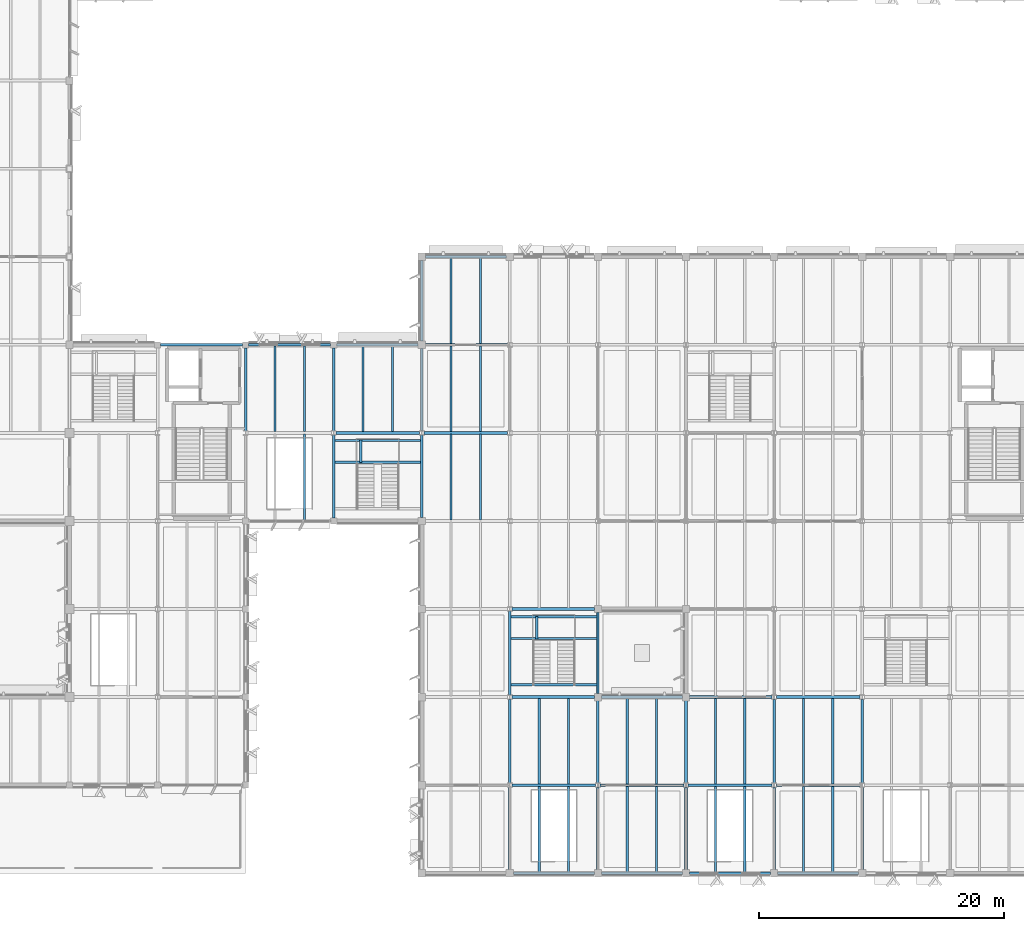
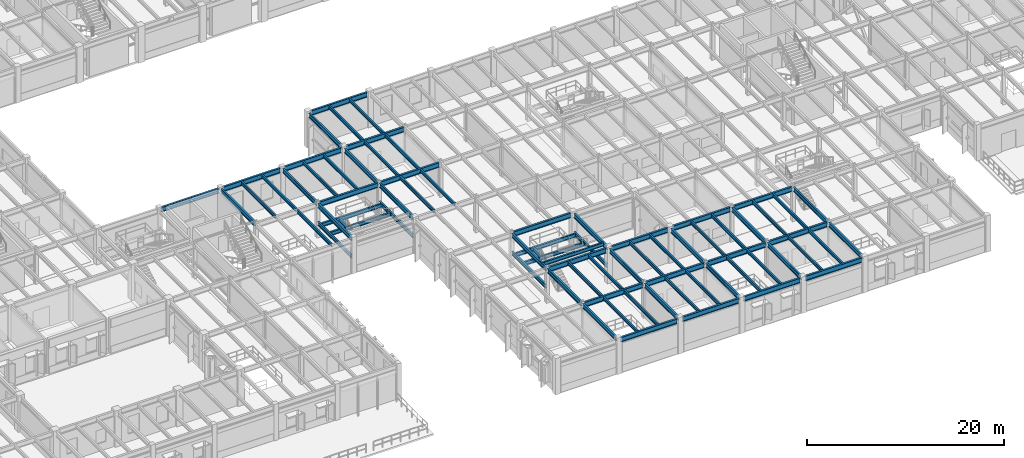
# One storey, part 17 of 92: 76 beams.
"""IFC4 building model written with IfcOpenShell, lengths in metres."""

import ifcopenshell
import ifcopenshell.guid

model = None  # the IFC model being written
_history = None  # IfcOwnerHistory: only IFC2X3 demands one
_inside = {}  # id of a spatial element -> (the spatial element, [elements in it])
_under = {}  # id of a project, library or spatial element -> (it, [spatial elements below it])
_declared = {}  # id of a project -> (the project, [libraries it declares])
_typed = {}  # id of a type object -> (the type object, [elements of that type])
_made_of = {}  # id of a material, layer set ... -> (it, [elements and type objects made of it])


def new_model(schema):
    """Start an empty IFC model of exactly this schema.

    Asked for "IFC4X3", IfcOpenShell would pick the latest addendum, in which some entities
    have other attributes; the version numbers below select the first issue.
    IFC2X3 requires an IfcOwnerHistory on every rooted entity: one is made here for all.
    """
    global model, _history
    if schema == "IFC4X3":
        model = ifcopenshell.file(schema_version=(4, 3, 0, 0))
    else:
        model = ifcopenshell.file(schema=schema)
    _inside.clear()
    _under.clear()
    _declared.clear()
    _typed.clear()
    _made_of.clear()
    _history = None
    if model.schema == "IFC2X3":
        org = make("IfcOrganization", Name="unknown")
        user = make(
            "IfcPersonAndOrganization",
            ThePerson=make("IfcPerson", FamilyName="unknown"),
            TheOrganization=org,
        )
        app = make(
            "IfcApplication",
            ApplicationDeveloper=org,
            Version="unknown",
            ApplicationFullName="unknown",
            ApplicationIdentifier="unknown",
        )
        _history = make(
            "IfcOwnerHistory",
            OwningUser=user,
            OwningApplication=app,
            ChangeAction="ADDED",
            CreationDate=0,
        )
    return model


def make(cls, **values):
    """One entity of the class cls with the attributes given. An attribute that is None is left unset."""
    return model.create_entity(
        cls, **{name: value for name, value in values.items() if value is not None}
    )


def rooted(cls, **values):
    """An entity with a GlobalId (a new one), such as an element, a storey or a relation."""
    return make(cls, GlobalId=ifcopenshell.guid.new(), OwnerHistory=_history, **values)


def si_unit(unit_type, name, prefix=None):
    """IfcSIUnit, for example si_unit("LENGTHUNIT", "METRE", prefix="MILLI")."""
    return make("IfcSIUnit", UnitType=unit_type, Prefix=prefix, Name=name)


def assignment(units):
    """IfcUnitAssignment: the units of a project."""
    return None if units is None else make("IfcUnitAssignment", Units=units)


def point(xyz):
    """IfcCartesianPoint."""
    return None if xyz is None else make("IfcCartesianPoint", Coordinates=xyz)


def direction(xyz):
    """IfcDirection."""
    return None if xyz is None else make("IfcDirection", DirectionRatios=xyz)


def frame(location, z_axis=None, x_axis=None):
    """IfcAxis2Placement3D, a coordinate frame: its origin and axes. An axis left out is left unset."""
    return make(
        "IfcAxis2Placement3D",
        Location=point(location),
        Axis=direction(z_axis),
        RefDirection=direction(x_axis),
    )


def frame_2d(location, x_axis=None):
    """IfcAxis2Placement2D, a coordinate frame in the plane: its origin and x axis."""
    return make(
        "IfcAxis2Placement2D", Location=point(location), RefDirection=direction(x_axis)
    )


def origin():
    """The frame at (0, 0, 0) with its axes left unset."""
    return frame((0.0, 0.0, 0.0))


def origin_2d():
    """The frame at (0, 0) in the plane with its x axis left unset."""
    return frame_2d((0.0, 0.0))


def place(relative_to, where):
    """IfcLocalPlacement: puts the frame where relative to a parent placement (None: the world)."""
    return make(
        "IfcLocalPlacement", PlacementRelTo=relative_to, RelativePlacement=where
    )


def context(
    kind, dimensions, precision=None, world=None, true_north=None, identifier=None
):
    """IfcGeometricRepresentationContext, for example the 3D "Model" context."""
    return make(
        "IfcGeometricRepresentationContext",
        ContextIdentifier=identifier,
        ContextType=kind,
        CoordinateSpaceDimension=dimensions,
        Precision=precision,
        WorldCoordinateSystem=world,
        TrueNorth=true_north,
    )


def subcontext(parent, identifier, kind, view, scale=None):
    """IfcGeometricRepresentationSubContext, for example "Body" below "Model"."""
    return make(
        "IfcGeometricRepresentationSubContext",
        ContextIdentifier=identifier,
        ContextType=kind,
        ParentContext=parent,
        TargetScale=scale,
        TargetView=view,
    )


def project(units=None, contexts=None):
    """IfcProject with its units and contexts."""
    return rooted(
        "IfcProject",
        Name="project",
        RepresentationContexts=contexts,
        UnitsInContext=assignment(units),
    )


def spatial(cls, under=None, at=None, **own):
    """A site, building, storey or space (cls), placed at a placement, below another one or the project."""
    s = rooted(cls, ObjectPlacement=at, **own)
    if under is not None:
        _under.setdefault(under.id(), (under, []))[1].append(s)
    return s


def profile(cls, at=None, kind="AREA", **sizes):
    """A parametric profile (cls). Its sizes go by their IFC names, for example OverallWidth=200.0."""
    return make(cls, ProfileType=kind, Position=at, **sizes)


def i_section(**sizes):
    """IfcIShapeProfileDef."""
    return profile("IfcIShapeProfileDef", **sizes)


def extrude(swept, where, along, depth):
    """IfcExtrudedAreaSolid: the profile swept, set in the frame where, extruded along a direction by depth."""
    return make(
        "IfcExtrudedAreaSolid",
        SweptArea=swept,
        Position=where,
        ExtrudedDirection=direction(along),
        Depth=depth,
    )


def shape(context_of_items, identifier, shape_type, items):
    """IfcShapeRepresentation: the items that make up one representation, for example the "Body"."""
    return make(
        "IfcShapeRepresentation",
        ContextOfItems=context_of_items,
        RepresentationIdentifier=identifier,
        RepresentationType=shape_type,
        Items=items,
    )


def material(Name=None, Category=None):
    """IfcMaterial."""
    return make("IfcMaterial", Name=Name, Category=Category)


def material_profile(
    of_material, cross_section, Name=None, Category=None, Priority=None
):
    """IfcMaterialProfile: a cross section and its material."""
    return make(
        "IfcMaterialProfile",
        Name=Name,
        Material=of_material,
        Profile=cross_section,
        Priority=Priority,
        Category=Category,
    )


def profile_set(profiles, Name=None, composite=None):
    """IfcMaterialProfileSet."""
    return make(
        "IfcMaterialProfileSet",
        Name=Name,
        MaterialProfiles=profiles,
        CompositeProfile=composite,
    )


def made_of(thing, what):
    """Note that an element or type object is made of a material, layer set ...; save() writes the relation."""
    if what is not None:
        _made_of.setdefault(what.id(), (what, []))[1].append(thing)
    return thing


def type_object(cls, material=None, **own):
    """A type object (cls), such as IfcWallType, which elements share."""
    return made_of(rooted(cls, **own), material)


def element(
    cls,
    number,
    at=None,
    inside=None,
    cuts=None,
    type_object=None,
    material=None,
    context=None,
    identifier="Body",
    shape_type=None,
    held_by="IfcProductDefinitionShape",
    body=None,
    shapes=None,
    **own,
):
    """One element of the class cls, such as IfcWall. Its Tag is "e" and its number.

    at: its placement. inside: the storey or other place that contains it. cuts: it is an
    opening in that element (IfcRelVoidsElement). A single representation is given by context,
    identifier, shape_type and body (its items); several are given by shapes. held_by: the class
    of the entity that holds the representations. save() writes the other relations.
    """
    e = rooted(cls, Tag="e%d" % number, ObjectPlacement=at, **own)
    if body is not None:
        shapes = [shape(context, identifier, shape_type, body)]
    if shapes is not None:
        e.Representation = make(held_by, Representations=shapes)
    if inside is not None:
        _inside.setdefault(inside.id(), (inside, []))[1].append(e)
    if cuts is not None:
        rooted(
            "IfcRelVoidsElement", RelatingBuildingElement=cuts, RelatedOpeningElement=e
        )
    if type_object is not None:
        _typed.setdefault(type_object.id(), (type_object, []))[1].append(e)
    return made_of(e, material)


def aggregate(whole, parts):
    """IfcRelAggregates: a whole, such as a stair, and the parts it consists of."""
    return rooted("IfcRelAggregates", RelatingObject=whole, RelatedObjects=parts)


def save(model, path):
    """Write the relations noted so far, then the file.

    IfcRelAggregates (storeys below a building ...), IfcRelContainedInSpatialStructure (elements
    in a storey), IfcRelDefinesByType, IfcRelAssociatesMaterial and IfcRelDeclares: one each for
    every whole, place, type object, material and project.
    """
    for whole, parts in _under.values():
        aggregate(whole, parts)
    for where, things in _inside.values():
        rooted(
            "IfcRelContainedInSpatialStructure",
            RelatedElements=things,
            RelatingStructure=where,
        )
    for kind, things in _typed.values():
        rooted("IfcRelDefinesByType", RelatedObjects=things, RelatingType=kind)
    for what, things in _made_of.values():
        rooted("IfcRelAssociatesMaterial", RelatedObjects=things, RelatingMaterial=what)
    for by, libraries in _declared.values():
        rooted("IfcRelDeclares", RelatingContext=by, RelatedDefinitions=libraries)
    model.write(path)


model = new_model("IFC4")

# Units and contexts
model_context = context("Model", 3, precision=1e-05, world=origin(), true_north=direction((0.0, 1.0)))
body_context = subcontext(model_context, "Body", "Model", "MODEL_VIEW")
ifc_project = project(units=[si_unit("LENGTHUNIT", "METRE"), si_unit("AREAUNIT", "SQUARE_METRE"), si_unit("VOLUMEUNIT", "CUBIC_METRE"), si_unit("PLANEANGLEUNIT", "RADIAN"), si_unit("MASSUNIT", "GRAM", prefix="KILO")], contexts=[model_context])

# Site, building, storey
site_placement = place(None, origin())
site = spatial("IfcSite", under=ifc_project, at=site_placement, CompositionType="ELEMENT")
building_placement = place(site_placement, origin())
building = spatial("IfcBuilding", under=site, at=building_placement, Name="Sillqori Civic Hall", CompositionType="ELEMENT")
storey_placement = place(building_placement, frame((0.0, 0.0, 5.39990234375)))
storey = spatial("IfcBuildingStorey", under=building, at=storey_placement, Name="L02", CompositionType="ELEMENT", Elevation=5.39990234375)

# Beams
ifc_material = material(Name="Steel ASTM A992", Category="steel")
ifc_material_profile_1 = material_profile(ifc_material, i_section(OverallWidth=0.19091796875, OverallDepth=0.4599609375, WebThickness=0.010009765625, FlangeThickness=0.01611328125, FilletRadius=0.012939453125, at=origin_2d()), Name="W18X55")
ifc_profile_set_1 = profile_set([ifc_material_profile_1], Name="Steel ASTM A992")
beam_type_1 = type_object("IfcBeamType", Name="BM-W18X55", PredefinedType="BEAM", material=ifc_profile_set_1)
beam_1_placement = place(storey_placement, frame((72.0, 21.778076171875, 1.8251953125), z_axis=(0.0, 1.0, 0.0), x_axis=(-1.0, 0.0, 0.0)))
element("IfcBeam", 1, at=beam_1_placement, inside=storey, type_object=beam_type_1, Name="Wedge Atrium West Gallery Stair L02-L03 landing stringer girder W", PredefinedType="BEAM", context=body_context, shape_type="SweptSolid", body=[
    extrude(i_section(OverallWidth=0.19091796875, OverallDepth=0.4599609375, WebThickness=0.010009765625, FlangeThickness=0.01611328125, FilletRadius=0.012939453125, at=origin_2d()), origin(), (0.0, 0.0, 1.0), 6.843994140625),
])
beam_2_placement = place(storey_placement, frame((79.199951171875, 21.89404296875, 1.8251953125), z_axis=(0.0, 1.0, 0.0), x_axis=(-1.0, 0.0, 0.0)))
element("IfcBeam", 2, at=beam_2_placement, inside=storey, type_object=beam_type_1, Name="Wedge Atrium West Gallery Stair L02-L03 landing stringer girder E", PredefinedType="BEAM", context=body_context, shape_type="SweptSolid", body=[
    extrude(i_section(OverallWidth=0.19091796875, OverallDepth=0.4599609375, WebThickness=0.010009765625, FlangeThickness=0.01611328125, FilletRadius=0.012939453125, at=origin_2d()), origin(), (0.0, 0.0, 1.0), 6.612060546875),
])
for number, where, z_axis, x_axis, name in (
    (3, (72.0400390625, 26.389892578125, 1.8251953125), (1.0, 0.0, 0.0), (0.0, 1.0, 0.0), "Wedge Atrium West Gallery Stair L02-L03 half-landing cross trimmer 1"),
    (4, (72.0400390625, 28.179931640625, 1.8251953125), (1.0, 0.0, 0.0), (0.0, 1.0, 0.0), "Wedge Atrium West Gallery Stair L02-L03 half-landing cross trimmer 2"),
):
    element("IfcBeam", number, at=place(storey_placement, frame(where, z_axis=z_axis, x_axis=x_axis)), inside=storey, type_object=beam_type_1, Name=name, PredefinedType="BEAM", context=body_context, shape_type="SweptSolid", body=[
        extrude(i_section(OverallWidth=0.19091796875, OverallDepth=0.4599609375, WebThickness=0.010009765625, FlangeThickness=0.01611328125, FilletRadius=0.012939453125, at=origin_2d()), origin(), (0.0, 0.0, 1.0), 7.119873046875),
    ])
beam_3_placement = place(storey_placement, frame((74.199951171875, 26.360107421875, 1.8251953125), z_axis=(0.0, 1.0, 0.0), x_axis=(-1.0, 0.0, 0.0)))
element("IfcBeam", 5, at=beam_3_placement, inside=storey, type_object=beam_type_1, Name="Wedge Atrium West Gallery Stair L02-L03 half-landing spine rib", PredefinedType="BEAM", context=body_context, shape_type="SweptSolid", body=[
    extrude(i_section(OverallWidth=0.19091796875, OverallDepth=0.4599609375, WebThickness=0.010009765625, FlangeThickness=0.01611328125, FilletRadius=0.012939453125, at=origin_2d()), origin(), (0.0, 0.0, 1.0), 1.849853515625),
])
beam_4_placement = place(storey_placement, frame((72.0400390625, 22.60009765625, 4.0751953125), z_axis=(1.0, 0.0, 0.0), x_axis=(0.0, 1.0, 0.0)))
element("IfcBeam", 6, at=beam_4_placement, inside=storey, type_object=beam_type_1, Name="Wedge Atrium West Gallery Stair L02-L03 upper arrival trimmer beam", PredefinedType="BEAM", context=body_context, shape_type="SweptSolid", body=[
    extrude(i_section(OverallWidth=0.19091796875, OverallDepth=0.4599609375, WebThickness=0.010009765625, FlangeThickness=0.01611328125, FilletRadius=0.012939453125, at=origin_2d()), origin(), (0.0, 0.0, 1.0), 7.119873046875),
])
beam_5_placement = place(storey_placement, frame((57.60009765625, 36.243896484375, 1.8251953125), z_axis=(0.0, 1.0, 0.0), x_axis=(-1.0, 0.0, 0.0)))
element("IfcBeam", 7, at=beam_5_placement, inside=storey, type_object=beam_type_1, Name="Council Link Gallery Stair L02-L03 landing stringer girder W", PredefinedType="BEAM", context=body_context, shape_type="SweptSolid", body=[
    extrude(i_section(OverallWidth=0.19091796875, OverallDepth=0.4599609375, WebThickness=0.010009765625, FlangeThickness=0.01611328125, FilletRadius=0.012939453125, at=origin_2d()), origin(), (0.0, 0.0, 1.0), 6.781494140625),
])
beam_6_placement = place(storey_placement, frame((64.800048828125, 36.2939453125, 1.8251953125), z_axis=(0.0, 1.0, 0.0), x_axis=(-1.0, 0.0, 0.0)))
element("IfcBeam", 8, at=beam_6_placement, inside=storey, type_object=beam_type_1, Name="Council Link Gallery Stair L02-L03 landing stringer girder E", PredefinedType="BEAM", context=body_context, shape_type="SweptSolid", body=[
    extrude(i_section(OverallWidth=0.19091796875, OverallDepth=0.4599609375, WebThickness=0.010009765625, FlangeThickness=0.01611328125, FilletRadius=0.012939453125, at=origin_2d()), origin(), (0.0, 0.0, 1.0), 6.72802734375),
])
for number, where, z_axis, x_axis, name in (
    (9, (57.639892578125, 40.7900390625, 1.8251953125), (1.0, 0.0, 0.0), (0.0, 1.0, 0.0), "Council Link Gallery Stair L02-L03 half-landing cross trimmer 1"),
    (10, (57.639892578125, 42.580078125, 1.8251953125), (1.0, 0.0, 0.0), (0.0, 1.0, 0.0), "Council Link Gallery Stair L02-L03 half-landing cross trimmer 2"),
):
    element("IfcBeam", number, at=place(storey_placement, frame(where, z_axis=z_axis, x_axis=x_axis)), inside=storey, type_object=beam_type_1, Name=name, PredefinedType="BEAM", context=body_context, shape_type="SweptSolid", body=[
        extrude(i_section(OverallWidth=0.19091796875, OverallDepth=0.4599609375, WebThickness=0.010009765625, FlangeThickness=0.01611328125, FilletRadius=0.012939453125, at=origin_2d()), origin(), (0.0, 0.0, 1.0), 7.1201171875),
    ])
beam_7_placement = place(storey_placement, frame((59.800048828125, 40.760009765625, 1.8251953125), z_axis=(0.0, 1.0, 0.0), x_axis=(-1.0, 0.0, 0.0)))
element("IfcBeam", 11, at=beam_7_placement, inside=storey, type_object=beam_type_1, Name="Council Link Gallery Stair L02-L03 half-landing spine rib", PredefinedType="BEAM", context=body_context, shape_type="SweptSolid", body=[
    extrude(i_section(OverallWidth=0.19091796875, OverallDepth=0.4599609375, WebThickness=0.010009765625, FlangeThickness=0.01611328125, FilletRadius=0.012939453125, at=origin_2d()), origin(), (0.0, 0.0, 1.0), 1.85009765625),
])
ifc_material_profile_2 = material_profile(ifc_material, i_section(OverallWidth=0.2099609375, OverallDepth=0.532958984375, WebThickness=0.01025390625, FlangeThickness=0.015625, FilletRadius=0.013916015625, at=origin_2d()), Name="W21X62")
ifc_profile_set_2 = profile_set([ifc_material_profile_2], Name="Steel ASTM A992")
beam_type_2 = type_object("IfcBeamType", Name="BM-W21X62", PredefinedType="BEAM", material=ifc_profile_set_2)
for number, where, z_axis, x_axis, name in (
    (12, (50.39990234375, 43.37451171875, 4.03369140625), (0.0, 1.0, 0.0), (-1.0, 0.0, 0.0), "L02 girder Y 7-6"),
    (13, (57.60009765625, 36.243896484375, 4.03369140625), (0.0, 1.0, 0.0), (-1.0, 0.0, 0.0), "L02 girder Y 8-5"),
    (14, (57.60009765625, 43.37451171875, 4.03369140625), (0.0, 1.0, 0.0), (-1.0, 0.0, 0.0), "L02 girder Y 8-6"),
):
    element("IfcBeam", number, at=place(storey_placement, frame(where, z_axis=z_axis, x_axis=x_axis)), inside=storey, type_object=beam_type_2, Name=name, PredefinedType="BEAM", context=body_context, shape_type="SweptSolid", body=[
        extrude(i_section(OverallWidth=0.2099609375, OverallDepth=0.532958984375, WebThickness=0.01025390625, FlangeThickness=0.015625, FilletRadius=0.013916015625, at=origin_2d()), origin(), (0.0, 0.0, 1.0), 6.781494140625),
    ])
for number, where, z_axis, x_axis, name in (
    (15, (64.800048828125, 36.2939453125, 4.03369140625), (0.0, 1.0, 0.0), (-1.0, 0.0, 0.0), "L02 girder Y 9-5"),
    (16, (64.800048828125, 43.3779296875, 4.03369140625), (0.0, 1.0, 0.0), (-1.0, 0.0, 0.0), "L02 girder Y 9-6"),
):
    element("IfcBeam", number, at=place(storey_placement, frame(where, z_axis=z_axis, x_axis=x_axis)), inside=storey, type_object=beam_type_2, Name=name, PredefinedType="BEAM", context=body_context, shape_type="SweptSolid", body=[
        extrude(i_section(OverallWidth=0.2099609375, OverallDepth=0.532958984375, WebThickness=0.01025390625, FlangeThickness=0.015625, FilletRadius=0.013916015625, at=origin_2d()), origin(), (0.0, 0.0, 1.0), 6.72802734375),
    ])
beam_8_placement = place(storey_placement, frame((64.800048828125, 50.694091796875, 4.03369140625), z_axis=(0.0, 1.0, 0.0), x_axis=(-1.0, 0.0, 0.0)))
element("IfcBeam", 17, at=beam_8_placement, inside=storey, type_object=beam_type_2, Name="L02 girder Y 9-7", PredefinedType="BEAM", context=body_context, shape_type="SweptSolid", body=[
    extrude(i_section(OverallWidth=0.2099609375, OverallDepth=0.532958984375, WebThickness=0.01025390625, FlangeThickness=0.015625, FilletRadius=0.013916015625, at=origin_2d()), origin(), (0.0, 0.0, 1.0), 6.61181640625),
])
beam_9_placement = place(storey_placement, frame((72.0, 7.493896484375, 4.03369140625), z_axis=(0.0, 1.0, 0.0), x_axis=(-1.0, 0.0, 0.0)))
element("IfcBeam", 18, at=beam_9_placement, inside=storey, type_object=beam_type_2, Name="L02 girder Y 10-1", PredefinedType="BEAM", context=body_context, shape_type="SweptSolid", body=[
    extrude(i_section(OverallWidth=0.2099609375, OverallDepth=0.532958984375, WebThickness=0.01025390625, FlangeThickness=0.015625, FilletRadius=0.013916015625, at=origin_2d()), origin(), (0.0, 0.0, 1.0), 6.72802734375),
])
beam_10_placement = place(storey_placement, frame((72.0, 14.577880859375, 4.03369140625), z_axis=(0.0, 1.0, 0.0), x_axis=(-1.0, 0.0, 0.0)))
element("IfcBeam", 19, at=beam_10_placement, inside=storey, type_object=beam_type_2, Name="L02 girder Y 10-2", PredefinedType="BEAM", context=body_context, shape_type="SweptSolid", body=[
    extrude(i_section(OverallWidth=0.2099609375, OverallDepth=0.532958984375, WebThickness=0.01025390625, FlangeThickness=0.015625, FilletRadius=0.013916015625, at=origin_2d()), origin(), (0.0, 0.0, 1.0), 6.84423828125),
])
beam_11_placement = place(storey_placement, frame((72.0, 21.778076171875, 4.03369140625), z_axis=(0.0, 1.0, 0.0), x_axis=(-1.0, 0.0, 0.0)))
element("IfcBeam", 20, at=beam_11_placement, inside=storey, type_object=beam_type_2, Name="L02 girder Y 10-3", PredefinedType="BEAM", context=body_context, shape_type="SweptSolid", body=[
    extrude(i_section(OverallWidth=0.2099609375, OverallDepth=0.532958984375, WebThickness=0.01025390625, FlangeThickness=0.015625, FilletRadius=0.013916015625, at=origin_2d()), origin(), (0.0, 0.0, 1.0), 6.843994140625),
])
for number, where, z_axis, x_axis, name in (
    (21, (79.199951171875, 7.493896484375, 4.03369140625), (0.0, 1.0, 0.0), (-1.0, 0.0, 0.0), "L02 girder Y 11-1"),
    (22, (79.199951171875, 14.577880859375, 4.03369140625), (0.0, 1.0, 0.0), (-1.0, 0.0, 0.0), "L02 girder Y 11-2"),
):
    element("IfcBeam", number, at=place(storey_placement, frame(where, z_axis=z_axis, x_axis=x_axis)), inside=storey, type_object=beam_type_2, Name=name, PredefinedType="BEAM", context=body_context, shape_type="SweptSolid", body=[
        extrude(i_section(OverallWidth=0.2099609375, OverallDepth=0.532958984375, WebThickness=0.01025390625, FlangeThickness=0.015625, FilletRadius=0.013916015625, at=origin_2d()), origin(), (0.0, 0.0, 1.0), 6.72802734375),
    ])
beam_12_placement = place(storey_placement, frame((79.199951171875, 21.89404296875, 4.03369140625), z_axis=(0.0, 1.0, 0.0), x_axis=(-1.0, 0.0, 0.0)))
element("IfcBeam", 23, at=beam_12_placement, inside=storey, type_object=beam_type_2, Name="L02 girder Y 11-3", PredefinedType="BEAM", context=body_context, shape_type="SweptSolid", body=[
    extrude(i_section(OverallWidth=0.2099609375, OverallDepth=0.532958984375, WebThickness=0.01025390625, FlangeThickness=0.015625, FilletRadius=0.013916015625, at=origin_2d()), origin(), (0.0, 0.0, 1.0), 6.612060546875),
])
for number, where, z_axis, x_axis, name in (
    (24, (86.39990234375, 7.493896484375, 4.03369140625), (0.0, 1.0, 0.0), (-1.0, 0.0, 0.0), "L02 girder Y 12-1"),
    (25, (86.39990234375, 14.577880859375, 4.03369140625), (0.0, 1.0, 0.0), (-1.0, 0.0, 0.0), "L02 girder Y 12-2"),
    (26, (93.60009765625, 7.493896484375, 4.03369140625), (0.0, 1.0, 0.0), (-1.0, 0.0, 0.0), "L02 girder Y 13-1"),
):
    element("IfcBeam", number, at=place(storey_placement, frame(where, z_axis=z_axis, x_axis=x_axis)), inside=storey, type_object=beam_type_2, Name=name, PredefinedType="BEAM", context=body_context, shape_type="SweptSolid", body=[
        extrude(i_section(OverallWidth=0.2099609375, OverallDepth=0.532958984375, WebThickness=0.01025390625, FlangeThickness=0.015625, FilletRadius=0.013916015625, at=origin_2d()), origin(), (0.0, 0.0, 1.0), 6.72802734375),
    ])
beam_13_placement = place(storey_placement, frame((93.60009765625, 14.577880859375, 4.03369140625), z_axis=(0.0, 1.0, 0.0), x_axis=(-1.0, 0.0, 0.0)))
element("IfcBeam", 27, at=beam_13_placement, inside=storey, type_object=beam_type_2, Name="L02 girder Y 13-2", PredefinedType="BEAM", context=body_context, shape_type="SweptSolid", body=[
    extrude(i_section(OverallWidth=0.2099609375, OverallDepth=0.532958984375, WebThickness=0.01025390625, FlangeThickness=0.015625, FilletRadius=0.013916015625, at=origin_2d()), origin(), (0.0, 0.0, 1.0), 6.84423828125),
])
beam_14_placement = place(storey_placement, frame((100.800048828125, 7.493896484375, 4.03369140625), z_axis=(0.0, 1.0, 0.0), x_axis=(-1.0, 0.0, 0.0)))
element("IfcBeam", 28, at=beam_14_placement, inside=storey, type_object=beam_type_2, Name="L02 girder Y 14-1", PredefinedType="BEAM", context=body_context, shape_type="SweptSolid", body=[
    extrude(i_section(OverallWidth=0.2099609375, OverallDepth=0.532958984375, WebThickness=0.01025390625, FlangeThickness=0.015625, FilletRadius=0.013916015625, at=origin_2d()), origin(), (0.0, 0.0, 1.0), 6.72802734375),
])
beam_15_placement = place(storey_placement, frame((100.800048828125, 14.577880859375, 4.03369140625), z_axis=(0.0, 1.0, 0.0), x_axis=(-1.0, 0.0, 0.0)))
element("IfcBeam", 29, at=beam_15_placement, inside=storey, type_object=beam_type_2, Name="L02 girder Y 14-2", PredefinedType="BEAM", context=body_context, shape_type="SweptSolid", body=[
    extrude(i_section(OverallWidth=0.2099609375, OverallDepth=0.532958984375, WebThickness=0.01025390625, FlangeThickness=0.015625, FilletRadius=0.013916015625, at=origin_2d()), origin(), (0.0, 0.0, 1.0), 6.84423828125),
])
ifc_material_profile_3 = material_profile(ifc_material, i_section(OverallWidth=0.22802734375, OverallDepth=0.60205078125, WebThickness=0.010498046875, FlangeThickness=0.014892578125, FilletRadius=0.014892578125, at=origin_2d()), Name="W24X68")
ifc_profile_set_3 = profile_set([ifc_material_profile_3], Name="Steel ASTM A992")
beam_type_3 = type_object("IfcBeamType", Name="BM-W24X68", PredefinedType="BEAM", material=ifc_profile_set_3)
for number, where, z_axis, x_axis, name in (
    (30, (43.444091796875, 50.39990234375, 3.9990234375), (1.0, 0.0, 0.0), (0.0, 1.0, 0.0), "L02 girder X 6-7"),
    (31, (50.64404296875, 50.39990234375, 3.9990234375), (1.0, 0.0, 0.0), (0.0, 1.0, 0.0), "L02 girder X 7-7"),
):
    element("IfcBeam", number, at=place(storey_placement, frame(where, z_axis=z_axis, x_axis=x_axis)), inside=storey, type_object=beam_type_3, Name=name, PredefinedType="BEAM", context=body_context, shape_type="SweptSolid", body=[
        extrude(i_section(OverallWidth=0.22802734375, OverallDepth=0.60205078125, WebThickness=0.010498046875, FlangeThickness=0.014892578125, FilletRadius=0.014892578125, at=origin_2d()), origin(), (0.0, 0.0, 1.0), 6.7119140625),
    ])
beam_16_placement = place(storey_placement, frame((57.779541015625, 43.199951171875, 3.9990234375), z_axis=(1.0, 0.0, 0.0), x_axis=(0.0, 1.0, 0.0)))
element("IfcBeam", 32, at=beam_16_placement, inside=storey, type_object=beam_type_3, Name="L02 girder X 8-6", PredefinedType="BEAM", context=body_context, shape_type="SweptSolid", body=[
    extrude(i_section(OverallWidth=0.22802734375, OverallDepth=0.60205078125, WebThickness=0.010498046875, FlangeThickness=0.014892578125, FilletRadius=0.014892578125, at=origin_2d()), origin(), (0.0, 0.0, 1.0), 6.83984375),
])
beam_17_placement = place(storey_placement, frame((57.843994140625, 50.39990234375, 3.9990234375), z_axis=(1.0, 0.0, 0.0), x_axis=(0.0, 1.0, 0.0)))
element("IfcBeam", 33, at=beam_17_placement, inside=storey, type_object=beam_type_3, Name="L02 girder X 8-7", PredefinedType="BEAM", context=body_context, shape_type="SweptSolid", body=[
    extrude(i_section(OverallWidth=0.22802734375, OverallDepth=0.60205078125, WebThickness=0.010498046875, FlangeThickness=0.014892578125, FilletRadius=0.014892578125, at=origin_2d()), origin(), (0.0, 0.0, 1.0), 6.662109375),
])
beam_18_placement = place(storey_placement, frame((64.98046875, 43.199951171875, 3.9990234375), z_axis=(1.0, 0.0, 0.0), x_axis=(0.0, 1.0, 0.0)))
element("IfcBeam", 34, at=beam_18_placement, inside=storey, type_object=beam_type_3, Name="L02 girder X 9-6", PredefinedType="BEAM", context=body_context, shape_type="SweptSolid", body=[
    extrude(i_section(OverallWidth=0.22802734375, OverallDepth=0.60205078125, WebThickness=0.010498046875, FlangeThickness=0.014892578125, FilletRadius=0.014892578125, at=origin_2d()), origin(), (0.0, 0.0, 1.0), 6.839111328125),
])
beam_19_placement = place(storey_placement, frame((65.093994140625, 50.39990234375, 3.9990234375), z_axis=(1.0, 0.0, 0.0), x_axis=(0.0, 1.0, 0.0)))
element("IfcBeam", 35, at=beam_19_placement, inside=storey, type_object=beam_type_3, Name="L02 girder X 9-7", PredefinedType="BEAM", context=body_context, shape_type="SweptSolid", body=[
    extrude(i_section(OverallWidth=0.22802734375, OverallDepth=0.60205078125, WebThickness=0.010498046875, FlangeThickness=0.014892578125, FilletRadius=0.014892578125, at=origin_2d()), origin(), (0.0, 0.0, 1.0), 6.7255859375),
])
for number, where, z_axis, x_axis, name in (
    (36, (65.093994140625, 57.60009765625, 3.9990234375), (1.0, 0.0, 0.0), (0.0, 1.0, 0.0), "L02 girder X 9-8"),
    (37, (72.2939453125, 7.199951171875, 3.9990234375), (1.0, 0.0, 0.0), (0.0, 1.0, 0.0), "L02 girder X 10-1"),
):
    element("IfcBeam", number, at=place(storey_placement, frame(where, z_axis=z_axis, x_axis=x_axis)), inside=storey, type_object=beam_type_3, Name=name, PredefinedType="BEAM", context=body_context, shape_type="SweptSolid", body=[
        extrude(i_section(OverallWidth=0.22802734375, OverallDepth=0.60205078125, WebThickness=0.010498046875, FlangeThickness=0.014892578125, FilletRadius=0.014892578125, at=origin_2d()), origin(), (0.0, 0.0, 1.0), 6.612060546875),
    ])
beam_20_placement = place(storey_placement, frame((72.180419921875, 14.39990234375, 3.9990234375), z_axis=(1.0, 0.0, 0.0), x_axis=(0.0, 1.0, 0.0)))
element("IfcBeam", 38, at=beam_20_placement, inside=storey, type_object=beam_type_3, Name="L02 girder X 10-2", PredefinedType="BEAM", context=body_context, shape_type="SweptSolid", body=[
    extrude(i_section(OverallWidth=0.22802734375, OverallDepth=0.60205078125, WebThickness=0.010498046875, FlangeThickness=0.014892578125, FilletRadius=0.014892578125, at=origin_2d()), origin(), (0.0, 0.0, 1.0), 6.839111328125),
])
for number, where, z_axis, x_axis, name in (
    (39, (72.180419921875, 21.60009765625, 3.9990234375), (1.0, 0.0, 0.0), (0.0, 1.0, 0.0), "L02 girder X 10-3"),
    (40, (72.180419921875, 28.800048828125, 3.9990234375), (1.0, 0.0, 0.0), (0.0, 1.0, 0.0), "L02 girder X 10-4"),
):
    element("IfcBeam", number, at=place(storey_placement, frame(where, z_axis=z_axis, x_axis=x_axis)), inside=storey, type_object=beam_type_3, Name=name, PredefinedType="BEAM", context=body_context, shape_type="SweptSolid", body=[
        extrude(i_section(OverallWidth=0.22802734375, OverallDepth=0.60205078125, WebThickness=0.010498046875, FlangeThickness=0.014892578125, FilletRadius=0.014892578125, at=origin_2d()), origin(), (0.0, 0.0, 1.0), 6.7255859375),
    ])
beam_21_placement = place(storey_placement, frame((79.493896484375, 7.199951171875, 3.9990234375), z_axis=(1.0, 0.0, 0.0), x_axis=(0.0, 1.0, 0.0)))
element("IfcBeam", 41, at=beam_21_placement, inside=storey, type_object=beam_type_3, Name="L02 girder X 11-1", PredefinedType="BEAM", context=body_context, shape_type="SweptSolid", body=[
    extrude(i_section(OverallWidth=0.22802734375, OverallDepth=0.60205078125, WebThickness=0.010498046875, FlangeThickness=0.014892578125, FilletRadius=0.014892578125, at=origin_2d()), origin(), (0.0, 0.0, 1.0), 6.612060546875),
])
beam_22_placement = place(storey_placement, frame((79.380615234375, 14.39990234375, 3.9990234375), z_axis=(1.0, 0.0, 0.0), x_axis=(0.0, 1.0, 0.0)))
element("IfcBeam", 42, at=beam_22_placement, inside=storey, type_object=beam_type_3, Name="L02 girder X 11-2", PredefinedType="BEAM", context=body_context, shape_type="SweptSolid", body=[
    extrude(i_section(OverallWidth=0.22802734375, OverallDepth=0.60205078125, WebThickness=0.010498046875, FlangeThickness=0.014892578125, FilletRadius=0.014892578125, at=origin_2d()), origin(), (0.0, 0.0, 1.0), 6.8388671875),
])
beam_23_placement = place(storey_placement, frame((79.493896484375, 21.60009765625, 3.9990234375), z_axis=(1.0, 0.0, 0.0), x_axis=(0.0, 1.0, 0.0)))
element("IfcBeam", 43, at=beam_23_placement, inside=storey, type_object=beam_type_3, Name="L02 girder X 11-3", PredefinedType="BEAM", context=body_context, shape_type="SweptSolid", body=[
    extrude(i_section(OverallWidth=0.22802734375, OverallDepth=0.60205078125, WebThickness=0.010498046875, FlangeThickness=0.014892578125, FilletRadius=0.014892578125, at=origin_2d()), origin(), (0.0, 0.0, 1.0), 6.612060546875),
])
beam_24_placement = place(storey_placement, frame((86.694091796875, 7.199951171875, 3.9990234375), z_axis=(1.0, 0.0, 0.0), x_axis=(0.0, 1.0, 0.0)))
element("IfcBeam", 44, at=beam_24_placement, inside=storey, type_object=beam_type_3, Name="L02 girder X 12-1", PredefinedType="BEAM", context=body_context, shape_type="SweptSolid", body=[
    extrude(i_section(OverallWidth=0.22802734375, OverallDepth=0.60205078125, WebThickness=0.010498046875, FlangeThickness=0.014892578125, FilletRadius=0.014892578125, at=origin_2d()), origin(), (0.0, 0.0, 1.0), 6.61181640625),
])
beam_25_placement = place(storey_placement, frame((86.58056640625, 14.39990234375, 3.9990234375), z_axis=(1.0, 0.0, 0.0), x_axis=(0.0, 1.0, 0.0)))
element("IfcBeam", 45, at=beam_25_placement, inside=storey, type_object=beam_type_3, Name="L02 girder X 12-2", PredefinedType="BEAM", context=body_context, shape_type="SweptSolid", body=[
    extrude(i_section(OverallWidth=0.22802734375, OverallDepth=0.60205078125, WebThickness=0.010498046875, FlangeThickness=0.014892578125, FilletRadius=0.014892578125, at=origin_2d()), origin(), (0.0, 0.0, 1.0), 6.8388671875),
])
beam_26_placement = place(storey_placement, frame((86.694091796875, 21.60009765625, 3.9990234375), z_axis=(1.0, 0.0, 0.0), x_axis=(0.0, 1.0, 0.0)))
element("IfcBeam", 46, at=beam_26_placement, inside=storey, type_object=beam_type_3, Name="L02 girder X 12-3", PredefinedType="BEAM", context=body_context, shape_type="SweptSolid", body=[
    extrude(i_section(OverallWidth=0.22802734375, OverallDepth=0.60205078125, WebThickness=0.010498046875, FlangeThickness=0.014892578125, FilletRadius=0.014892578125, at=origin_2d()), origin(), (0.0, 0.0, 1.0), 6.725341796875),
])
beam_27_placement = place(storey_placement, frame((93.89404296875, 7.199951171875, 3.9990234375), z_axis=(1.0, 0.0, 0.0), x_axis=(0.0, 1.0, 0.0)))
element("IfcBeam", 47, at=beam_27_placement, inside=storey, type_object=beam_type_3, Name="L02 girder X 13-1", PredefinedType="BEAM", context=body_context, shape_type="SweptSolid", body=[
    extrude(i_section(OverallWidth=0.22802734375, OverallDepth=0.60205078125, WebThickness=0.010498046875, FlangeThickness=0.014892578125, FilletRadius=0.014892578125, at=origin_2d()), origin(), (0.0, 0.0, 1.0), 6.612060546875),
])
for number, where, z_axis, x_axis, name in (
    (48, (93.780517578125, 14.39990234375, 3.9990234375), (1.0, 0.0, 0.0), (0.0, 1.0, 0.0), "L02 girder X 13-2"),
    (49, (93.780517578125, 21.60009765625, 3.9990234375), (1.0, 0.0, 0.0), (0.0, 1.0, 0.0), "L02 girder X 13-3"),
):
    element("IfcBeam", number, at=place(storey_placement, frame(where, z_axis=z_axis, x_axis=x_axis)), inside=storey, type_object=beam_type_3, Name=name, PredefinedType="BEAM", context=body_context, shape_type="SweptSolid", body=[
        extrude(i_section(OverallWidth=0.22802734375, OverallDepth=0.60205078125, WebThickness=0.010498046875, FlangeThickness=0.014892578125, FilletRadius=0.014892578125, at=origin_2d()), origin(), (0.0, 0.0, 1.0), 6.8388671875),
    ])
ifc_material_profile_4 = material_profile(ifc_material, i_section(OverallWidth=0.177978515625, OverallDepth=0.404052734375, WebThickness=0.007568359375, FlangeThickness=0.010986328125, FilletRadius=0.011962890625, at=origin_2d()), Name="W16X36")
ifc_profile_set_4 = profile_set([ifc_material_profile_4], Name="Steel ASTM A992")
beam_type_4 = type_object("IfcBeamType", Name="JS-W16X36", PredefinedType="JOIST", material=ifc_profile_set_4)
for number, where, z_axis, x_axis, name in (
    (50, (55.199951171875, 36.094970703125, 4.09814453125), (0.0, 1.0, 0.0), (-1.0, 0.0, 0.0), "L02 composite joist 7-5.2"),
    (51, (52.800048828125, 43.294921875, 4.09814453125), (0.0, 1.0, 0.0), (-1.0, 0.0, 0.0), "L02 composite joist 7-6.1"),
    (52, (55.199951171875, 43.294921875, 4.09814453125), (0.0, 1.0, 0.0), (-1.0, 0.0, 0.0), "L02 composite joist 7-6.2"),
    (53, (60.0, 43.294921875, 4.09814453125), (0.0, 1.0, 0.0), (-1.0, 0.0, 0.0), "L02 composite joist 8-6.1"),
    (54, (62.39990234375, 43.294921875, 4.09814453125), (0.0, 1.0, 0.0), (-1.0, 0.0, 0.0), "L02 composite joist 8-6.2"),
    (55, (67.199951171875, 36.094970703125, 4.09814453125), (0.0, 1.0, 0.0), (-1.0, 0.0, 0.0), "L02 composite joist 9-5.1"),
    (56, (69.60009765625, 36.094970703125, 4.09814453125), (0.0, 1.0, 0.0), (-1.0, 0.0, 0.0), "L02 composite joist 9-5.2"),
    (57, (67.199951171875, 43.294921875, 4.09814453125), (0.0, 1.0, 0.0), (-1.0, 0.0, 0.0), "L02 composite joist 9-6.1"),
    (58, (69.60009765625, 43.294921875, 4.09814453125), (0.0, 1.0, 0.0), (-1.0, 0.0, 0.0), "L02 composite joist 9-6.2"),
):
    element("IfcBeam", number, at=place(storey_placement, frame(where, z_axis=z_axis, x_axis=x_axis)), inside=storey, type_object=beam_type_4, Name=name, PredefinedType="JOIST", context=body_context, shape_type="SweptSolid", body=[
        extrude(i_section(OverallWidth=0.177978515625, OverallDepth=0.404052734375, WebThickness=0.007568359375, FlangeThickness=0.010986328125, FilletRadius=0.011962890625, at=origin_2d()), origin(), (0.0, 0.0, 1.0), 7.010009765625),
    ])
for number, where, z_axis, x_axis, name in (
    (59, (67.199951171875, 50.4951171875, 4.09814453125), (0.0, 1.0, 0.0), (-1.0, 0.0, 0.0), "L02 composite joist 9-7.1"),
    (60, (69.60009765625, 50.4951171875, 4.09814453125), (0.0, 1.0, 0.0), (-1.0, 0.0, 0.0), "L02 composite joist 9-7.2"),
):
    element("IfcBeam", number, at=place(storey_placement, frame(where, z_axis=z_axis, x_axis=x_axis)), inside=storey, type_object=beam_type_4, Name=name, PredefinedType="JOIST", context=body_context, shape_type="SweptSolid", body=[
        extrude(i_section(OverallWidth=0.177978515625, OverallDepth=0.404052734375, WebThickness=0.007568359375, FlangeThickness=0.010986328125, FilletRadius=0.011962890625, at=origin_2d()), origin(), (0.0, 0.0, 1.0), 7.009765625),
    ])
for number, where, z_axis, x_axis, name in (
    (61, (74.39990234375, 7.294921875, 4.09814453125), (0.0, 1.0, 0.0), (-1.0, 0.0, 0.0), "L02 composite joist 10-1.1"),
    (62, (76.800048828125, 7.294921875, 4.09814453125), (0.0, 1.0, 0.0), (-1.0, 0.0, 0.0), "L02 composite joist 10-1.2"),
):
    element("IfcBeam", number, at=place(storey_placement, frame(where, z_axis=z_axis, x_axis=x_axis)), inside=storey, type_object=beam_type_4, Name=name, PredefinedType="JOIST", context=body_context, shape_type="SweptSolid", body=[
        extrude(i_section(OverallWidth=0.177978515625, OverallDepth=0.404052734375, WebThickness=0.007568359375, FlangeThickness=0.010986328125, FilletRadius=0.011962890625, at=origin_2d()), origin(), (0.0, 0.0, 1.0), 7.010009765625),
    ])
for number, where, z_axis, x_axis, name in (
    (63, (74.39990234375, 14.4951171875, 4.09814453125), (0.0, 1.0, 0.0), (-1.0, 0.0, 0.0), "L02 composite joist 10-2.1"),
    (64, (76.800048828125, 14.4951171875, 4.09814453125), (0.0, 1.0, 0.0), (-1.0, 0.0, 0.0), "L02 composite joist 10-2.2"),
):
    element("IfcBeam", number, at=place(storey_placement, frame(where, z_axis=z_axis, x_axis=x_axis)), inside=storey, type_object=beam_type_4, Name=name, PredefinedType="JOIST", context=body_context, shape_type="SweptSolid", body=[
        extrude(i_section(OverallWidth=0.177978515625, OverallDepth=0.404052734375, WebThickness=0.007568359375, FlangeThickness=0.010986328125, FilletRadius=0.011962890625, at=origin_2d()), origin(), (0.0, 0.0, 1.0), 7.009765625),
    ])
for number, where, z_axis, x_axis, name in (
    (65, (81.60009765625, 7.294921875, 4.09814453125), (0.0, 1.0, 0.0), (-1.0, 0.0, 0.0), "L02 composite joist 11-1.1"),
    (66, (84.0, 7.294921875, 4.09814453125), (0.0, 1.0, 0.0), (-1.0, 0.0, 0.0), "L02 composite joist 11-1.2"),
):
    element("IfcBeam", number, at=place(storey_placement, frame(where, z_axis=z_axis, x_axis=x_axis)), inside=storey, type_object=beam_type_4, Name=name, PredefinedType="JOIST", context=body_context, shape_type="SweptSolid", body=[
        extrude(i_section(OverallWidth=0.177978515625, OverallDepth=0.404052734375, WebThickness=0.007568359375, FlangeThickness=0.010986328125, FilletRadius=0.011962890625, at=origin_2d()), origin(), (0.0, 0.0, 1.0), 7.010009765625),
    ])
for number, where, z_axis, x_axis, name in (
    (67, (81.60009765625, 14.4951171875, 4.09814453125), (0.0, 1.0, 0.0), (-1.0, 0.0, 0.0), "L02 composite joist 11-2.1"),
    (68, (84.0, 14.4951171875, 4.09814453125), (0.0, 1.0, 0.0), (-1.0, 0.0, 0.0), "L02 composite joist 11-2.2"),
):
    element("IfcBeam", number, at=place(storey_placement, frame(where, z_axis=z_axis, x_axis=x_axis)), inside=storey, type_object=beam_type_4, Name=name, PredefinedType="JOIST", context=body_context, shape_type="SweptSolid", body=[
        extrude(i_section(OverallWidth=0.177978515625, OverallDepth=0.404052734375, WebThickness=0.007568359375, FlangeThickness=0.010986328125, FilletRadius=0.011962890625, at=origin_2d()), origin(), (0.0, 0.0, 1.0), 7.009765625),
    ])
for number, where, z_axis, x_axis, name in (
    (69, (88.800048828125, 7.294921875, 4.09814453125), (0.0, 1.0, 0.0), (-1.0, 0.0, 0.0), "L02 composite joist 12-1.1"),
    (70, (91.199951171875, 7.294921875, 4.09814453125), (0.0, 1.0, 0.0), (-1.0, 0.0, 0.0), "L02 composite joist 12-1.2"),
):
    element("IfcBeam", number, at=place(storey_placement, frame(where, z_axis=z_axis, x_axis=x_axis)), inside=storey, type_object=beam_type_4, Name=name, PredefinedType="JOIST", context=body_context, shape_type="SweptSolid", body=[
        extrude(i_section(OverallWidth=0.177978515625, OverallDepth=0.404052734375, WebThickness=0.007568359375, FlangeThickness=0.010986328125, FilletRadius=0.011962890625, at=origin_2d()), origin(), (0.0, 0.0, 1.0), 7.010009765625),
    ])
for number, where, z_axis, x_axis, name in (
    (71, (88.800048828125, 14.4951171875, 4.09814453125), (0.0, 1.0, 0.0), (-1.0, 0.0, 0.0), "L02 composite joist 12-2.1"),
    (72, (91.199951171875, 14.4951171875, 4.09814453125), (0.0, 1.0, 0.0), (-1.0, 0.0, 0.0), "L02 composite joist 12-2.2"),
):
    element("IfcBeam", number, at=place(storey_placement, frame(where, z_axis=z_axis, x_axis=x_axis)), inside=storey, type_object=beam_type_4, Name=name, PredefinedType="JOIST", context=body_context, shape_type="SweptSolid", body=[
        extrude(i_section(OverallWidth=0.177978515625, OverallDepth=0.404052734375, WebThickness=0.007568359375, FlangeThickness=0.010986328125, FilletRadius=0.011962890625, at=origin_2d()), origin(), (0.0, 0.0, 1.0), 7.009765625),
    ])
for number, where, z_axis, x_axis, name in (
    (73, (96.0, 7.294921875, 4.09814453125), (0.0, 1.0, 0.0), (-1.0, 0.0, 0.0), "L02 composite joist 13-1.1"),
    (74, (98.39990234375, 7.294921875, 4.09814453125), (0.0, 1.0, 0.0), (-1.0, 0.0, 0.0), "L02 composite joist 13-1.2"),
):
    element("IfcBeam", number, at=place(storey_placement, frame(where, z_axis=z_axis, x_axis=x_axis)), inside=storey, type_object=beam_type_4, Name=name, PredefinedType="JOIST", context=body_context, shape_type="SweptSolid", body=[
        extrude(i_section(OverallWidth=0.177978515625, OverallDepth=0.404052734375, WebThickness=0.007568359375, FlangeThickness=0.010986328125, FilletRadius=0.011962890625, at=origin_2d()), origin(), (0.0, 0.0, 1.0), 7.010009765625),
    ])
for number, where, z_axis, x_axis, name in (
    (75, (96.0, 14.4951171875, 4.09814453125), (0.0, 1.0, 0.0), (-1.0, 0.0, 0.0), "L02 composite joist 13-2.1"),
    (76, (98.39990234375, 14.4951171875, 4.09814453125), (0.0, 1.0, 0.0), (-1.0, 0.0, 0.0), "L02 composite joist 13-2.2"),
):
    element("IfcBeam", number, at=place(storey_placement, frame(where, z_axis=z_axis, x_axis=x_axis)), inside=storey, type_object=beam_type_4, Name=name, PredefinedType="JOIST", context=body_context, shape_type="SweptSolid", body=[
        extrude(i_section(OverallWidth=0.177978515625, OverallDepth=0.404052734375, WebThickness=0.007568359375, FlangeThickness=0.010986328125, FilletRadius=0.011962890625, at=origin_2d()), origin(), (0.0, 0.0, 1.0), 7.009765625),
    ])

save(model, "model.ifc")
